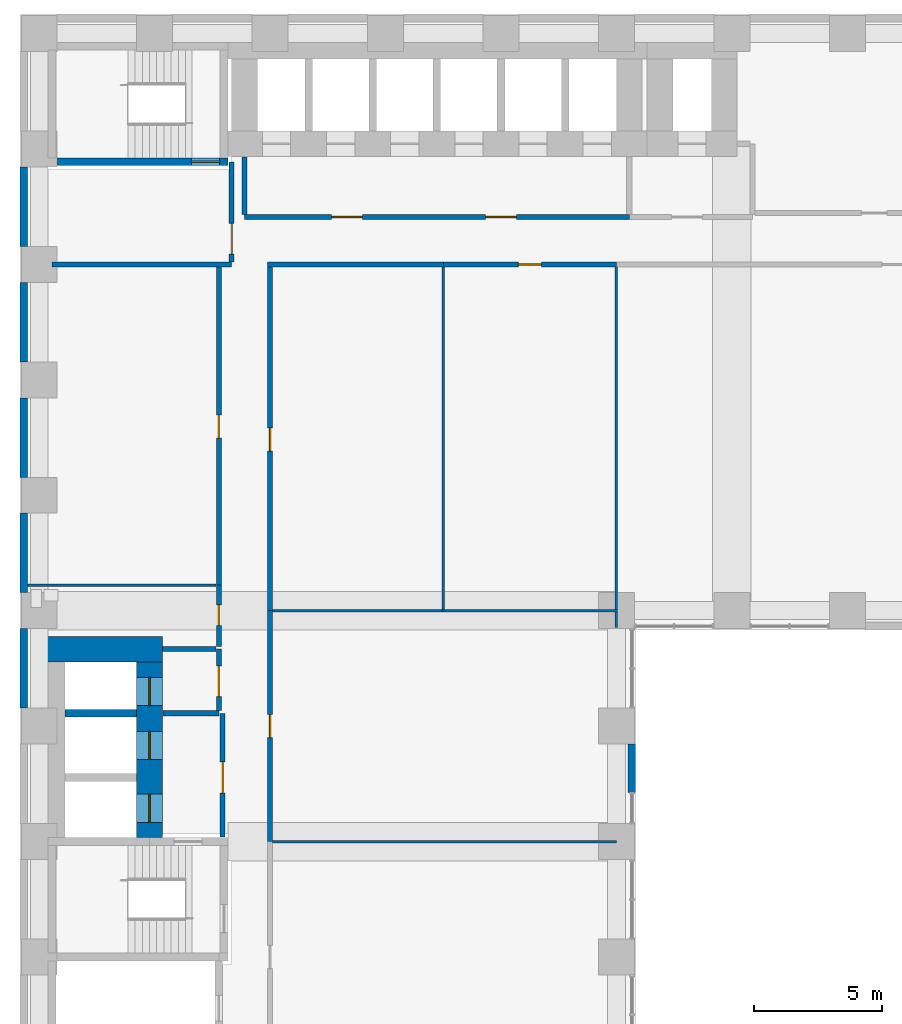
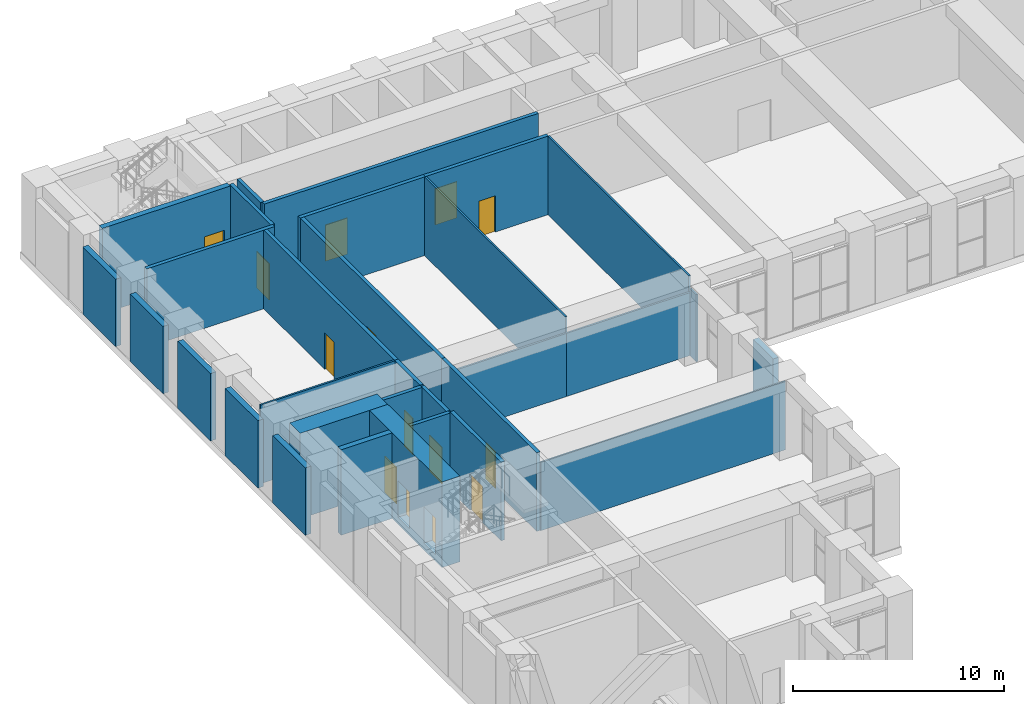
# One storey, part 19 of 34: 31 walls, 14 doors, 14 openings.
"""IFC4 building model written with IfcOpenShell, lengths in metres."""

import ifcopenshell
import ifcopenshell.guid

model = None  # the IFC model being written
_history = None  # IfcOwnerHistory: only IFC2X3 demands one
_inside = {}  # id of a spatial element -> (the spatial element, [elements in it])
_under = {}  # id of a project, library or spatial element -> (it, [spatial elements below it])
_declared = {}  # id of a project -> (the project, [libraries it declares])
_typed = {}  # id of a type object -> (the type object, [elements of that type])
_made_of = {}  # id of a material, layer set ... -> (it, [elements and type objects made of it])


def new_model(schema):
    """Start an empty IFC model of exactly this schema.

    Asked for "IFC4X3", IfcOpenShell would pick the latest addendum, in which some entities
    have other attributes; the version numbers below select the first issue.
    IFC2X3 requires an IfcOwnerHistory on every rooted entity: one is made here for all.
    """
    global model, _history
    if schema == "IFC4X3":
        model = ifcopenshell.file(schema_version=(4, 3, 0, 0))
    else:
        model = ifcopenshell.file(schema=schema)
    _inside.clear()
    _under.clear()
    _declared.clear()
    _typed.clear()
    _made_of.clear()
    _history = None
    if model.schema == "IFC2X3":
        org = make("IfcOrganization", Name="unknown")
        user = make(
            "IfcPersonAndOrganization",
            ThePerson=make("IfcPerson", FamilyName="unknown"),
            TheOrganization=org,
        )
        app = make(
            "IfcApplication",
            ApplicationDeveloper=org,
            Version="unknown",
            ApplicationFullName="unknown",
            ApplicationIdentifier="unknown",
        )
        _history = make(
            "IfcOwnerHistory",
            OwningUser=user,
            OwningApplication=app,
            ChangeAction="ADDED",
            CreationDate=0,
        )
    return model


def make(cls, **values):
    """One entity of the class cls with the attributes given. An attribute that is None is left unset."""
    return model.create_entity(
        cls, **{name: value for name, value in values.items() if value is not None}
    )


def rooted(cls, **values):
    """An entity with a GlobalId (a new one), such as an element, a storey or a relation."""
    return make(cls, GlobalId=ifcopenshell.guid.new(), OwnerHistory=_history, **values)


def si_unit(unit_type, name, prefix=None):
    """IfcSIUnit, for example si_unit("LENGTHUNIT", "METRE", prefix="MILLI")."""
    return make("IfcSIUnit", UnitType=unit_type, Prefix=prefix, Name=name)


def assignment(units):
    """IfcUnitAssignment: the units of a project."""
    return None if units is None else make("IfcUnitAssignment", Units=units)


def point(xyz):
    """IfcCartesianPoint."""
    return None if xyz is None else make("IfcCartesianPoint", Coordinates=xyz)


def direction(xyz):
    """IfcDirection."""
    return None if xyz is None else make("IfcDirection", DirectionRatios=xyz)


def frame(location, z_axis=None, x_axis=None):
    """IfcAxis2Placement3D, a coordinate frame: its origin and axes. An axis left out is left unset."""
    return make(
        "IfcAxis2Placement3D",
        Location=point(location),
        Axis=direction(z_axis),
        RefDirection=direction(x_axis),
    )


def frame_2d(location, x_axis=None):
    """IfcAxis2Placement2D, a coordinate frame in the plane: its origin and x axis."""
    return make(
        "IfcAxis2Placement2D", Location=point(location), RefDirection=direction(x_axis)
    )


def origin():
    """The frame at (0, 0, 0) with its axes left unset."""
    return frame((0.0, 0.0, 0.0))


def place(relative_to, where):
    """IfcLocalPlacement: puts the frame where relative to a parent placement (None: the world)."""
    return make(
        "IfcLocalPlacement", PlacementRelTo=relative_to, RelativePlacement=where
    )


def context(
    kind, dimensions, precision=None, world=None, true_north=None, identifier=None
):
    """IfcGeometricRepresentationContext, for example the 3D "Model" context."""
    return make(
        "IfcGeometricRepresentationContext",
        ContextIdentifier=identifier,
        ContextType=kind,
        CoordinateSpaceDimension=dimensions,
        Precision=precision,
        WorldCoordinateSystem=world,
        TrueNorth=true_north,
    )


def subcontext(parent, identifier, kind, view, scale=None):
    """IfcGeometricRepresentationSubContext, for example "Body" below "Model"."""
    return make(
        "IfcGeometricRepresentationSubContext",
        ContextIdentifier=identifier,
        ContextType=kind,
        ParentContext=parent,
        TargetScale=scale,
        TargetView=view,
    )


def project(units=None, contexts=None):
    """IfcProject with its units and contexts."""
    return rooted(
        "IfcProject",
        Name="project",
        RepresentationContexts=contexts,
        UnitsInContext=assignment(units),
    )


def spatial(cls, under=None, at=None, **own):
    """A site, building, storey or space (cls), placed at a placement, below another one or the project."""
    s = rooted(cls, ObjectPlacement=at, **own)
    if under is not None:
        _under.setdefault(under.id(), (under, []))[1].append(s)
    return s


def profile(cls, at=None, kind="AREA", **sizes):
    """A parametric profile (cls). Its sizes go by their IFC names, for example OverallWidth=200.0."""
    return make(cls, ProfileType=kind, Position=at, **sizes)


def rectangle(**sizes):
    """IfcRectangleProfileDef."""
    return profile("IfcRectangleProfileDef", **sizes)


def extrude(swept, where, along, depth):
    """IfcExtrudedAreaSolid: the profile swept, set in the frame where, extruded along a direction by depth."""
    return make(
        "IfcExtrudedAreaSolid",
        SweptArea=swept,
        Position=where,
        ExtrudedDirection=direction(along),
        Depth=depth,
    )


def shape(context_of_items, identifier, shape_type, items):
    """IfcShapeRepresentation: the items that make up one representation, for example the "Body"."""
    return make(
        "IfcShapeRepresentation",
        ContextOfItems=context_of_items,
        RepresentationIdentifier=identifier,
        RepresentationType=shape_type,
        Items=items,
    )


def material(Name=None, Category=None):
    """IfcMaterial."""
    return make("IfcMaterial", Name=Name, Category=Category)


def layer(
    of_material, thickness, ventilated=None, Name=None, Category=None, Priority=None
):
    """IfcMaterialLayer: one layer of a wall or slab, of a material (None: an air gap)."""
    return make(
        "IfcMaterialLayer",
        Material=of_material,
        LayerThickness=thickness,
        IsVentilated=ventilated,
        Name=Name,
        Category=Category,
        Priority=Priority,
    )


def layer_set(layers, Name=None):
    """IfcMaterialLayerSet."""
    return make("IfcMaterialLayerSet", MaterialLayers=layers, LayerSetName=Name)


def made_of(thing, what):
    """Note that an element or type object is made of a material, layer set ...; save() writes the relation."""
    if what is not None:
        _made_of.setdefault(what.id(), (what, []))[1].append(thing)
    return thing


def type_object(cls, material=None, **own):
    """A type object (cls), such as IfcWallType, which elements share."""
    return made_of(rooted(cls, **own), material)


def element(
    cls,
    number,
    at=None,
    inside=None,
    cuts=None,
    type_object=None,
    material=None,
    context=None,
    identifier="Body",
    shape_type=None,
    held_by="IfcProductDefinitionShape",
    body=None,
    shapes=None,
    **own,
):
    """One element of the class cls, such as IfcWall. Its Tag is "e" and its number.

    at: its placement. inside: the storey or other place that contains it. cuts: it is an
    opening in that element (IfcRelVoidsElement). A single representation is given by context,
    identifier, shape_type and body (its items); several are given by shapes. held_by: the class
    of the entity that holds the representations. save() writes the other relations.
    """
    e = rooted(cls, Tag="e%d" % number, ObjectPlacement=at, **own)
    if body is not None:
        shapes = [shape(context, identifier, shape_type, body)]
    if shapes is not None:
        e.Representation = make(held_by, Representations=shapes)
    if inside is not None:
        _inside.setdefault(inside.id(), (inside, []))[1].append(e)
    if cuts is not None:
        rooted(
            "IfcRelVoidsElement", RelatingBuildingElement=cuts, RelatedOpeningElement=e
        )
    if type_object is not None:
        _typed.setdefault(type_object.id(), (type_object, []))[1].append(e)
    return made_of(e, material)


def fill(opening, filler):
    """IfcRelFillsElement: the door or window that sits in an opening."""
    return rooted(
        "IfcRelFillsElement",
        RelatingOpeningElement=opening,
        RelatedBuildingElement=filler,
    )


def aggregate(whole, parts):
    """IfcRelAggregates: a whole, such as a stair, and the parts it consists of."""
    return rooted("IfcRelAggregates", RelatingObject=whole, RelatedObjects=parts)


def save(model, path):
    """Write the relations noted so far, then the file.

    IfcRelAggregates (storeys below a building ...), IfcRelContainedInSpatialStructure (elements
    in a storey), IfcRelDefinesByType, IfcRelAssociatesMaterial and IfcRelDeclares: one each for
    every whole, place, type object, material and project.
    """
    for whole, parts in _under.values():
        aggregate(whole, parts)
    for where, things in _inside.values():
        rooted(
            "IfcRelContainedInSpatialStructure",
            RelatedElements=things,
            RelatingStructure=where,
        )
    for kind, things in _typed.values():
        rooted("IfcRelDefinesByType", RelatedObjects=things, RelatingType=kind)
    for what, things in _made_of.values():
        rooted("IfcRelAssociatesMaterial", RelatedObjects=things, RelatingMaterial=what)
    for by, libraries in _declared.values():
        rooted("IfcRelDeclares", RelatingContext=by, RelatedDefinitions=libraries)
    model.write(path)


model = new_model("IFC4")

# Units and contexts
model_context = context("Model", 3, precision=1e-05, world=origin(), true_north=direction((0.0, 1.0)))
body_context = subcontext(model_context, "Body", "Model", "MODEL_VIEW")
ifc_project = project(units=[si_unit("LENGTHUNIT", "METRE"), si_unit("AREAUNIT", "SQUARE_METRE"), si_unit("VOLUMEUNIT", "CUBIC_METRE"), si_unit("PLANEANGLEUNIT", "RADIAN"), si_unit("MASSUNIT", "GRAM", prefix="KILO")], contexts=[model_context])

# Site, building, storey
site_placement = place(None, origin())
site = spatial("IfcSite", under=ifc_project, at=site_placement, CompositionType="ELEMENT")
building_placement = place(site_placement, origin())
building = spatial("IfcBuilding", under=site, at=building_placement, Name="Firuza Court", CompositionType="ELEMENT")
storey_placement = place(building_placement, frame((0.0, 0.0, 19.0)))
storey = spatial("IfcBuildingStorey", under=building, at=storey_placement, Name="L03", CompositionType="ELEMENT", Elevation=19.0)

# Wall
ifc_material_1 = material(Name="Concrete C60/75", Category="concrete")
ifc_layer_1 = layer(ifc_material_1, 1.0)
ifc_layer_set_1 = layer_set([ifc_layer_1], Name="Concrete C60/75")
wall_type_1 = type_object("IfcWallType", Name="Core wall 1000 C60/75", PredefinedType="SHEAR", material=ifc_layer_set_1)
wall_1_placement = place(storey_placement, frame((0.0, 34.5, -0.39990234375), z_axis=(0.0, 0.0, 1.0), x_axis=(1.0, 0.0, 0.0)))
element("IfcWall", 1, at=wall_1_placement, inside=storey, type_object=wall_type_1, Name="Core wall lift shaft L03", PredefinedType="SHEAR", context=body_context, shape_type="SweptSolid", body=[
    extrude(rectangle(XDim=4.800048828125, YDim=1.0, at=frame_2d((2.39990234375, 0.0))), origin(), (0.0, 0.0, 1.0), 4.949951171875),
])

# Wall, openings, doors
wall_2_placement = place(storey_placement, frame((4.300048828125, 27.14990234375, -0.39990234375), z_axis=(0.0, 0.0, 1.0), x_axis=(0.0, 1.0, 0.0)))
wall_2 = element("IfcWall", 2, at=wall_2_placement, inside=storey, type_object=wall_type_1, Name="Core wall lift shaft L03", PredefinedType="SHEAR", context=body_context, shape_type="SweptSolid", body=[
    extrude(rectangle(XDim=6.85009765625, YDim=1.0, at=frame_2d((3.425048828125, 0.0))), origin(), (0.0, 0.0, 1.0), 4.949951171875),
])
opening_1_placement = place(wall_2_placement, frame((3.050048828125, 0.0, 0.39990234375)))
opening_1 = element("IfcOpeningElement", 3, at=opening_1_placement, cuts=wall_2, Name="Opening LD-FL1-03", PredefinedType="OPENING", context=body_context, shape_type="SweptSolid", body=[
    extrude(rectangle(XDim=1.10009765625, YDim=2.10009765625, at=frame_2d((0.550048828125, 1.050048828125))), frame((0.0, 0.511962890625, 0.0), z_axis=(0.0, -1.0, 0.0), x_axis=(1.0, 0.0, 0.0)), (0.0, 0.0, 1.0), 1.02392578125),
])
opening_2_placement = place(wall_2_placement, frame((0.60009765625, 0.0, 0.39990234375)))
opening_2 = element("IfcOpeningElement", 4, at=opening_2_placement, cuts=wall_2, Name="Opening LD-FL2-03", PredefinedType="OPENING", context=body_context, shape_type="SweptSolid", body=[
    extrude(rectangle(XDim=1.10009765625, YDim=2.10009765625, at=frame_2d((0.550048828125, 1.050048828125))), frame((0.0, 0.511962890625, 0.0), z_axis=(0.0, -1.0, 0.0), x_axis=(1.0, 0.0, 0.0)), (0.0, 0.0, 1.0), 1.02392578125),
])
opening_3_placement = place(wall_2_placement, frame((5.14990234375, 0.0, 0.39990234375)))
opening_3 = element("IfcOpeningElement", 5, at=opening_3_placement, cuts=wall_2, Name="Opening LD-SL1-03", PredefinedType="OPENING", context=body_context, shape_type="SweptSolid", body=[
    extrude(rectangle(XDim=1.10009765625, YDim=2.10009765625, at=frame_2d((0.550048828125, 1.050048828125))), frame((0.0, 0.511962890625, 0.0), z_axis=(0.0, -1.0, 0.0), x_axis=(1.0, 0.0, 0.0)), (0.0, 0.0, 1.0), 1.02392578125),
])
ifc_material_2 = material(Name="Stainless steel 1.4301 door leaf", Category="steel")
door_type_1 = type_object("IfcDoorType", Name="Lift landing door 1100", OperationType="SLIDING_TO_LEFT", PredefinedType="DOOR", material=ifc_material_2)
door_1_placement = place(opening_1_placement, origin())
door_1 = element("IfcDoor", 6, at=door_1_placement, inside=storey, type_object=door_type_1, Name="Landing door FL1", OperationType="SLIDING_TO_LEFT", OverallHeight=2.10009765625, OverallWidth=1.10009765625, PredefinedType="DOOR", context=body_context, shape_type="SweptSolid", body=[
    extrude(rectangle(XDim=1.10009765625, YDim=2.10009765625, at=frame_2d((0.550048828125, 1.050048828125))), frame((0.0, 0.02490234375, 0.0), z_axis=(0.0, -1.0, 0.0), x_axis=(1.0, 0.0, 0.0)), (0.0, 0.0, 1.0), 0.050048828125),
])
fill(opening_1, door_1)
door_2_placement = place(opening_2_placement, origin())
door_2 = element("IfcDoor", 7, at=door_2_placement, inside=storey, type_object=door_type_1, Name="Landing door FL2", OperationType="SLIDING_TO_LEFT", OverallHeight=2.10009765625, OverallWidth=1.10009765625, PredefinedType="DOOR", context=body_context, shape_type="SweptSolid", body=[
    extrude(rectangle(XDim=1.10009765625, YDim=2.10009765625, at=frame_2d((0.550048828125, 1.050048828125))), frame((0.0, 0.02490234375, 0.0), z_axis=(0.0, -1.0, 0.0), x_axis=(1.0, 0.0, 0.0)), (0.0, 0.0, 1.0), 0.050048828125),
])
fill(opening_2, door_2)
door_3_placement = place(opening_3_placement, origin())
door_3 = element("IfcDoor", 8, at=door_3_placement, inside=storey, type_object=door_type_1, Name="Landing door SL1", OperationType="SLIDING_TO_LEFT", OverallHeight=2.10009765625, OverallWidth=1.10009765625, PredefinedType="DOOR", context=body_context, shape_type="SweptSolid", body=[
    extrude(rectangle(XDim=1.10009765625, YDim=2.10009765625, at=frame_2d((0.550048828125, 1.050048828125))), frame((0.0, 0.02490234375, 0.0), z_axis=(0.0, -1.0, 0.0), x_axis=(1.0, 0.0, 0.0)), (0.0, 0.0, 1.0), 0.050048828125),
])
fill(opening_3, door_3)

# Wall, opening, door
ifc_layer_2 = layer(ifc_material_1, 0.300048828125)
ifc_layer_set_2 = layer_set([ifc_layer_2], Name="Concrete C60/75")
wall_type_2 = type_object("IfcWallType", Name="Core wall 300 C60/75", PredefinedType="SHEAR", material=ifc_layer_set_2)
wall_3_placement = place(storey_placement, frame((0.35009765625, 53.5, -0.39990234375), z_axis=(0.0, 0.0, 1.0), x_axis=(1.0, 0.0, 0.0)))
wall_3 = element("IfcWall", 9, at=wall_3_placement, inside=storey, type_object=wall_type_2, Name="Core wall stair L03", PredefinedType="SHEAR", context=body_context, shape_type="SweptSolid", body=[
    extrude(rectangle(XDim=7.0, YDim=0.300048828125, at=frame_2d((3.5, 0.0))), origin(), (0.0, 0.0, 1.0), 4.949951171875),
])
opening_4_placement = place(wall_3_placement, frame((5.580078125, 0.0, 0.39990234375)))
opening_4 = element("IfcOpeningElement", 10, at=opening_4_placement, cuts=wall_3, Name="Opening D03016", PredefinedType="OPENING", context=body_context, shape_type="SweptSolid", body=[
    extrude(rectangle(XDim=1.10009765625, YDim=2.10009765625, at=frame_2d((0.550048828125, 1.050048828125))), frame((0.0, 0.162109375, 0.0), z_axis=(0.0, -1.0, 0.0), x_axis=(1.0, 0.0, 0.0)), (0.0, 0.0, 1.0), 0.323974609375),
])
ifc_material_3 = material(Name="Timber door leaf in hardwood frame", Category="wood")
door_type_2 = type_object("IfcDoorType", Name="Stair door 1100", OperationType="SINGLE_SWING_LEFT", PredefinedType="DOOR", material=ifc_material_3)
door_4_placement = place(opening_4_placement, origin())
door_4 = element("IfcDoor", 11, at=door_4_placement, inside=storey, type_object=door_type_2, Name="Stair door S3", OperationType="SINGLE_SWING_RIGHT", OverallHeight=2.10009765625, OverallWidth=1.10009765625, PredefinedType="DOOR", context=body_context, shape_type="SweptSolid", body=[
    extrude(rectangle(XDim=1.10009765625, YDim=2.10009765625, at=frame_2d((0.550048828125, 1.050048828125))), frame((0.0, 0.02490234375, 0.0), z_axis=(0.0, -1.0, 0.0), x_axis=(1.0, 0.0, 0.0)), (0.0, 0.0, 1.0), 0.050048828125),
])
fill(opening_4, door_4)

# Wall
wall_4_placement = place(storey_placement, frame((1.0, 32.0, -0.39990234375), z_axis=(0.0, 0.0, 1.0), x_axis=(1.0, 0.0, 0.0)))
element("IfcWall", 12, at=wall_4_placement, inside=storey, type_object=wall_type_2, Name="Core wall lift shaft L03", PredefinedType="SHEAR", context=body_context, shape_type="SweptSolid", body=[
    extrude(rectangle(XDim=2.800048828125, YDim=0.300048828125, at=frame_2d((1.39990234375, 0.0))), origin(), (0.0, 0.0, 1.0), 4.949951171875),
])

# Wall, opening, door
ifc_material_4 = material(Name="Blockwork, plastered both sides", Category="masonry")
ifc_layer_3 = layer(ifc_material_4, 0.199951171875)
ifc_layer_set_3 = layer_set([ifc_layer_3], Name="Blockwork, plastered both sides")
wall_type_3 = type_object("IfcWallType", Name="Corridor wall 200", PredefinedType="PARTITIONING", material=ifc_layer_set_3)
wall_5_placement = place(storey_placement, frame((9.0, 27.0, 0.0), z_axis=(0.0, 0.0, 1.0), x_axis=(0.0, 1.0, 0.0)))
wall_5 = element("IfcWall", 13, at=wall_5_placement, inside=storey, type_object=wall_type_3, Name="Corridor wall 200 L03", PredefinedType="PARTITIONING", context=body_context, shape_type="SweptSolid", body=[
    extrude(rectangle(XDim=9.0, YDim=0.199951171875, at=frame_2d((4.5, 0.0))), origin(), (0.0, 0.0, 1.0), 4.550048828125),
])
opening_5_placement = place(wall_5_placement, frame((4.050048828125, 0.0, 0.0)))
opening_5 = element("IfcOpeningElement", 14, at=opening_5_placement, cuts=wall_5, Name="Opening D03025", PredefinedType="OPENING", context=body_context, shape_type="SweptSolid", body=[
    extrude(rectangle(XDim=0.89990234375, YDim=2.10009765625, at=frame_2d((0.449951171875, 1.050048828125))), frame((0.0, 0.11181640625, 0.0), z_axis=(0.0, -1.0, 0.0), x_axis=(1.0, 0.0, 0.0)), (0.0, 0.0, 1.0), 0.223876953125),
])
ifc_material_5 = material(Name="Timber door leaf in hardwood frame", Category="wood")
door_type_3 = type_object("IfcDoorType", Name="Room door 900 EI 30", OperationType="SINGLE_SWING_LEFT", PredefinedType="DOOR", material=ifc_material_5)
door_5_placement = place(opening_5_placement, frame((0.89990234375, 0.0, 0.0), z_axis=(0.0, 0.0, 1.0), x_axis=(-1.0, 0.0, 0.0)))
door_5 = element("IfcDoor", 15, at=door_5_placement, inside=storey, type_object=door_type_3, Name="Room door", OperationType="SINGLE_SWING_RIGHT", OverallHeight=2.10009765625, OverallWidth=0.89990234375, PredefinedType="DOOR", context=body_context, shape_type="SweptSolid", body=[
    extrude(rectangle(XDim=0.89990234375, YDim=2.10009765625, at=frame_2d((0.449951171875, 1.050048828125))), frame((0.0, 0.02490234375, 0.0), z_axis=(0.0, -1.0, 0.0), x_axis=(1.0, 0.0, 0.0)), (0.0, 0.0, 1.0), 0.050048828125),
])
fill(opening_5, door_5)

wall_6_placement = place(storey_placement, frame((9.0, 36.0, 0.0), z_axis=(0.0, 0.0, 1.0), x_axis=(0.0, 1.0, 0.0)))
wall_6 = element("IfcWall", 16, at=wall_6_placement, inside=storey, type_object=wall_type_3, Name="Corridor wall 200 L03", PredefinedType="PARTITIONING", context=body_context, shape_type="SweptSolid", body=[
    extrude(rectangle(XDim=13.39990234375, YDim=0.199951171875, at=frame_2d((6.699951171875, 0.0))), origin(), (0.0, 0.0, 1.0), 4.550048828125),
])
opening_6_placement = place(wall_6_placement, frame((6.22509765625, 0.0, 0.0)))
opening_6 = element("IfcOpeningElement", 17, at=opening_6_placement, cuts=wall_6, Name="Opening D03026", PredefinedType="OPENING", context=body_context, shape_type="SweptSolid", body=[
    extrude(rectangle(XDim=0.89990234375, YDim=2.10009765625, at=frame_2d((0.449951171875, 1.050048828125))), frame((0.0, 0.11181640625, 0.0), z_axis=(0.0, -1.0, 0.0), x_axis=(1.0, 0.0, 0.0)), (0.0, 0.0, 1.0), 0.223876953125),
])
door_6_placement = place(opening_6_placement, frame((0.89990234375, 0.0, 0.0), z_axis=(0.0, 0.0, 1.0), x_axis=(-1.0, 0.0, 0.0)))
door_6 = element("IfcDoor", 18, at=door_6_placement, inside=storey, type_object=door_type_3, Name="Room door", OperationType="SINGLE_SWING_RIGHT", OverallHeight=2.10009765625, OverallWidth=0.89990234375, PredefinedType="DOOR", context=body_context, shape_type="SweptSolid", body=[
    extrude(rectangle(XDim=0.89990234375, YDim=2.10009765625, at=frame_2d((0.449951171875, 1.050048828125))), frame((0.0, 0.02490234375, 0.0), z_axis=(0.0, -1.0, 0.0), x_axis=(1.0, 0.0, 0.0)), (0.0, 0.0, 1.0), 0.050048828125),
])
fill(opening_6, door_6)

wall_7_placement = place(storey_placement, frame((7.0, 37.0, 0.0), z_axis=(0.0, 0.0, 1.0), x_axis=(0.0, -1.0, 0.0)))
wall_7 = element("IfcWall", 19, at=wall_7_placement, inside=storey, type_object=wall_type_3, Name="Corridor wall 200 L03", PredefinedType="PARTITIONING", context=body_context, shape_type="SweptSolid", body=[
    extrude(rectangle(XDim=2.39990234375, YDim=0.199951171875, at=frame_2d((1.199951171875, 0.0))), origin(), (0.0, 0.0, 1.0), 4.550048828125),
])
opening_7_placement = place(wall_7_placement, frame((0.77490234375, 0.0, 0.0)))
opening_7 = element("IfcOpeningElement", 20, at=opening_7_placement, cuts=wall_7, Name="Opening D03027", PredefinedType="OPENING", context=body_context, shape_type="SweptSolid", body=[
    extrude(rectangle(XDim=0.800048828125, YDim=2.10009765625, at=frame_2d((0.39990234375, 1.050048828125))), frame((0.0, 0.11181640625, 0.0), z_axis=(0.0, -1.0, 0.0), x_axis=(1.0, 0.0, 0.0)), (0.0, 0.0, 1.0), 0.223876953125),
])
ifc_material_6 = material(Name="Timber door leaf in hardwood frame", Category="wood")
door_type_4 = type_object("IfcDoorType", Name="Room door 800 EI 30", OperationType="SINGLE_SWING_LEFT", PredefinedType="DOOR", material=ifc_material_6)
door_7_placement = place(opening_7_placement, frame((0.800048828125, 0.0, 0.0), z_axis=(0.0, 0.0, 1.0), x_axis=(-1.0, 0.0, 0.0)))
door_7 = element("IfcDoor", 21, at=door_7_placement, inside=storey, type_object=door_type_4, Name="Room door", OperationType="SINGLE_SWING_RIGHT", OverallHeight=2.10009765625, OverallWidth=0.800048828125, PredefinedType="DOOR", context=body_context, shape_type="SweptSolid", body=[
    extrude(rectangle(XDim=0.800048828125, YDim=2.10009765625, at=frame_2d((0.39990234375, 1.050048828125))), frame((0.0, 0.02490234375, 0.0), z_axis=(0.0, -1.0, 0.0), x_axis=(1.0, 0.0, 0.0)), (0.0, 0.0, 1.0), 0.050048828125),
])
fill(opening_7, door_7)

wall_8_placement = place(storey_placement, frame((7.0, 49.39990234375, 0.0), z_axis=(0.0, 0.0, 1.0), x_axis=(0.0, -1.0, 0.0)))
wall_8 = element("IfcWall", 22, at=wall_8_placement, inside=storey, type_object=wall_type_3, Name="Corridor wall 200 L03", PredefinedType="PARTITIONING", context=body_context, shape_type="SweptSolid", body=[
    extrude(rectangle(XDim=12.39990234375, YDim=0.199951171875, at=frame_2d((6.199951171875, 0.0))), origin(), (0.0, 0.0, 1.0), 4.550048828125),
])
opening_8_placement = place(wall_8_placement, frame((5.77490234375, 0.0, 0.0)))
opening_8 = element("IfcOpeningElement", 23, at=opening_8_placement, cuts=wall_8, Name="Opening D03028", PredefinedType="OPENING", context=body_context, shape_type="SweptSolid", body=[
    extrude(rectangle(XDim=0.89990234375, YDim=2.10009765625, at=frame_2d((0.449951171875, 1.050048828125))), frame((0.0, 0.11181640625, 0.0), z_axis=(0.0, -1.0, 0.0), x_axis=(1.0, 0.0, 0.0)), (0.0, 0.0, 1.0), 0.223876953125),
])
door_8_placement = place(opening_8_placement, frame((0.89990234375, 0.0, 0.0), z_axis=(0.0, 0.0, 1.0), x_axis=(-1.0, 0.0, 0.0)))
door_8 = element("IfcDoor", 24, at=door_8_placement, inside=storey, type_object=door_type_3, Name="Room door", OperationType="SINGLE_SWING_LEFT", OverallHeight=2.10009765625, OverallWidth=0.89990234375, PredefinedType="DOOR", context=body_context, shape_type="SweptSolid", body=[
    extrude(rectangle(XDim=0.89990234375, YDim=2.10009765625, at=frame_2d((0.449951171875, 1.050048828125))), frame((0.0, 0.02490234375, 0.0), z_axis=(0.0, -1.0, 0.0), x_axis=(1.0, 0.0, 0.0)), (0.0, 0.0, 1.0), 0.050048828125),
])
fill(opening_8, door_8)

# Wall
wall_9_placement = place(storey_placement, frame((8.89990234375, 49.5, 0.0), z_axis=(0.0, 0.0, 1.0), x_axis=(1.0, 0.0, 0.0)))
element("IfcWall", 25, at=wall_9_placement, inside=storey, type_object=wall_type_3, Name="Corridor wall 200 L03", PredefinedType="PARTITIONING", context=body_context, shape_type="SweptSolid", body=[
    extrude(rectangle(XDim=6.85009765625, YDim=0.199951171875, at=frame_2d((3.425048828125, 0.0))), origin(), (0.0, 0.0, 1.0), 4.550048828125),
])

# Wall, opening, door
wall_10_placement = place(storey_placement, frame((15.75, 49.5, 0.0), z_axis=(0.0, 0.0, 1.0), x_axis=(1.0, 0.0, 0.0)))
wall_10 = element("IfcWall", 26, at=wall_10_placement, inside=storey, type_object=wall_type_3, Name="Corridor wall 200 L03", PredefinedType="PARTITIONING", context=body_context, shape_type="SweptSolid", body=[
    extrude(rectangle(XDim=6.75, YDim=0.199951171875, at=frame_2d((3.375, 0.0))), origin(), (0.0, 0.0, 1.0), 4.550048828125),
])
opening_9_placement = place(wall_10_placement, frame((2.925048828125, 0.0, 0.0)))
opening_9 = element("IfcOpeningElement", 27, at=opening_9_placement, cuts=wall_10, Name="Opening D03029", PredefinedType="OPENING", context=body_context, shape_type="SweptSolid", body=[
    extrude(rectangle(XDim=0.89990234375, YDim=2.10009765625, at=frame_2d((0.449951171875, 1.050048828125))), frame((0.0, 0.11181640625, 0.0), z_axis=(0.0, -1.0, 0.0), x_axis=(1.0, 0.0, 0.0)), (0.0, 0.0, 1.0), 0.223876953125),
])
door_9_placement = place(opening_9_placement, frame((0.89990234375, 0.0, 0.0), z_axis=(0.0, 0.0, 1.0), x_axis=(-1.0, 0.0, 0.0)))
door_9 = element("IfcDoor", 28, at=door_9_placement, inside=storey, type_object=door_type_3, Name="Room door", OperationType="SINGLE_SWING_RIGHT", OverallHeight=2.10009765625, OverallWidth=0.89990234375, PredefinedType="DOOR", context=body_context, shape_type="SweptSolid", body=[
    extrude(rectangle(XDim=0.89990234375, YDim=2.10009765625, at=frame_2d((0.449951171875, 1.050048828125))), frame((0.0, 0.02490234375, 0.0), z_axis=(0.0, -1.0, 0.0), x_axis=(1.0, 0.0, 0.0)), (0.0, 0.0, 1.0), 0.050048828125),
])
fill(opening_9, door_9)

# Walls
ifc_material_7 = material(Name="Timber stud partition, plasterboard both sides", Category="wood")
ifc_layer_4 = layer(ifc_material_7, 0.10009765625)
ifc_layer_set_4 = layer_set([ifc_layer_4], Name="Timber stud partition, plasterboard both sides")
wall_type_4 = type_object("IfcWallType", Name="Partition wall 100", PredefinedType="PARTITIONING", material=ifc_layer_set_4)
wall_11_placement = place(storey_placement, frame((22.5, 27.0, 0.0), z_axis=(0.0, 0.0, 1.0), x_axis=(-1.0, 0.0, 0.0)))
element("IfcWall", 29, at=wall_11_placement, inside=storey, type_object=wall_type_4, Name="Partition wall 100 L03", PredefinedType="PARTITIONING", context=body_context, shape_type="SweptSolid", body=[
    extrude(rectangle(XDim=13.39990234375, YDim=0.10009765625, at=frame_2d((6.699951171875, 0.0))), origin(), (0.0, 0.0, 1.0), 3.949951171875),
])
wall_12_placement = place(storey_placement, frame((22.5, 35.35009765625, 0.0), z_axis=(0.0, 0.0, 1.0), x_axis=(0.0, 1.0, 0.0)))
element("IfcWall", 30, at=wall_12_placement, inside=storey, type_object=wall_type_4, Name="Partition wall 100 L03", PredefinedType="PARTITIONING", context=body_context, shape_type="SweptSolid", body=[
    extrude(rectangle(XDim=0.599853515625, YDim=0.10009765625, at=frame_2d((0.2998046875, 0.0))), origin(), (0.0, 0.0, 1.0), 3.89990234375),
])
wall_13_placement = place(storey_placement, frame((15.699951171875, 36.0, 0.0), z_axis=(0.0, 0.0, 1.0), x_axis=(-1.0, 0.0, 0.0)))
element("IfcWall", 31, at=wall_13_placement, inside=storey, type_object=wall_type_4, Name="Partition wall 100 L03", PredefinedType="PARTITIONING", context=body_context, shape_type="SweptSolid", body=[
    extrude(rectangle(XDim=6.599853515625, YDim=0.10009765625, at=frame_2d((3.2998046875, 0.0))), origin(), (0.0, 0.0, 1.0), 3.64990234375),
])
wall_14_placement = place(storey_placement, frame((22.550048828125, 36.0, 0.0), z_axis=(0.0, 0.0, 1.0), x_axis=(-1.0, 0.0, 0.0)))
element("IfcWall", 32, at=wall_14_placement, inside=storey, type_object=wall_type_4, Name="Partition wall 100 L03", PredefinedType="PARTITIONING", context=body_context, shape_type="SweptSolid", body=[
    extrude(rectangle(XDim=6.85009765625, YDim=0.10009765625, at=frame_2d((3.425048828125, 0.0))), origin(), (0.0, 0.0, 1.0), 3.64990234375),
])
wall_15_placement = place(storey_placement, frame((22.5, 36.050048828125, 0.0), z_axis=(0.0, 0.0, 1.0), x_axis=(0.0, 1.0, 0.0)))
element("IfcWall", 33, at=wall_15_placement, inside=storey, type_object=wall_type_4, Name="Partition wall 100 L03", PredefinedType="PARTITIONING", context=body_context, shape_type="SweptSolid", body=[
    extrude(rectangle(XDim=13.349853515625, YDim=0.10009765625, at=frame_2d((6.6748046875, 0.0))), origin(), (0.0, 0.0, 1.0), 4.550048828125),
])
wall_16_placement = place(storey_placement, frame((-0.449951171875, 37.0, 0.0), z_axis=(0.0, 0.0, 1.0), x_axis=(1.0, 0.0, 0.0)))
element("IfcWall", 34, at=wall_16_placement, inside=storey, type_object=wall_type_4, Name="Partition wall 100 L03", PredefinedType="PARTITIONING", context=body_context, shape_type="SweptSolid", body=[
    extrude(rectangle(XDim=7.349853515625, YDim=0.10009765625, at=frame_2d((3.6748046875, 0.0))), origin(), (0.0, 0.0, 1.0), 4.550048828125),
])
wall_17_placement = place(storey_placement, frame((15.75, 49.39990234375, 0.0), z_axis=(0.0, 0.0, 1.0), x_axis=(0.0, -1.0, 0.0)))
element("IfcWall", 35, at=wall_17_placement, inside=storey, type_object=wall_type_4, Name="Partition wall 100 L03", PredefinedType="PARTITIONING", context=body_context, shape_type="SweptSolid", body=[
    extrude(rectangle(XDim=13.349853515625, YDim=0.10009765625, at=frame_2d((6.6748046875, 0.0))), origin(), (0.0, 0.0, 1.0), 4.550048828125),
])
ifc_material_8 = material(Name="Ceramic tile", Category="ceramic")
ifc_layer_5 = layer(ifc_material_8, 0.02001953125)
ifc_material_9 = material(Name="Mineral wool insulation", Category="insulation")
ifc_layer_6 = layer(ifc_material_9, 0.1298828125)
ifc_material_10 = material(Name="Concrete C40/50 precast", Category="concrete")
ifc_layer_7 = layer(ifc_material_10, 0.14990234375)
ifc_layer_set_5 = layer_set([ifc_layer_5, ifc_layer_6, ifc_layer_7], Name="Concrete C40/50 precast")
wall_type_5 = type_object("IfcWallType", Name="Precast spandrel wall with turquoise TILE PANEL face 300", PredefinedType="STANDARD", material=ifc_layer_set_5)
wall_18_placement = place(storey_placement, frame((23.10009765625, 28.918212890625, 0.0), z_axis=(0.0, 0.0, 1.0), x_axis=(0.0, 1.0, 0.0)))
element("IfcWall", 36, at=wall_18_placement, inside=storey, type_object=wall_type_5, Name="Facade wall L03 E", PredefinedType="STANDARD", context=body_context, shape_type="SweptSolid", body=[
    extrude(rectangle(XDim=1.8818359375, YDim=0.300048828125, at=frame_2d((0.94091796875, 0.0))), origin(), (0.0, 0.0, 1.0), 3.89990234375),
])
for number, where, z_axis, x_axis, name in (
    (37, (-0.60009765625, 53.300048828125, 0.0), (0.0, 0.0, 1.0), (0.0, -1.0, 0.0), "Facade wall L03 W"),
    (38, (-0.60009765625, 48.800048828125, 0.0), (0.0, 0.0, 1.0), (0.0, -1.0, 0.0), "Facade wall L03 W"),
    (39, (-0.60009765625, 44.300048828125, 0.0), (0.0, 0.0, 1.0), (0.0, -1.0, 0.0), "Facade wall L03 W"),
    (40, (-0.60009765625, 39.800048828125, 0.0), (0.0, 0.0, 1.0), (0.0, -1.0, 0.0), "Facade wall L03 W"),
    (41, (-0.60009765625, 35.300048828125, 0.0), (0.0, 0.0, 1.0), (0.0, -1.0, 0.0), "Facade wall L03 W"),
):
    element("IfcWall", number, at=place(storey_placement, frame(where, z_axis=z_axis, x_axis=x_axis)), inside=storey, type_object=wall_type_5, Name=name, PredefinedType="STANDARD", context=body_context, shape_type="SweptSolid", body=[
        extrude(rectangle(XDim=3.10009765625, YDim=0.300048828125, at=frame_2d((1.550048828125, 0.0))), origin(), (0.0, 0.0, 1.0), 3.89990234375),
    ])

# Wall, openings, doors
ifc_material_11 = material(Name="Blockwork, fire-rated", Category="masonry")
ifc_layer_8 = layer(ifc_material_11, 0.199951171875)
ifc_layer_set_6 = layer_set([ifc_layer_8], Name="Blockwork, fire-rated")
wall_type_6 = type_object("IfcWallType", Name="Shaft wall 200", PredefinedType="PARTITIONING", material=ifc_layer_set_6)
wall_19_placement = place(storey_placement, frame((8.0, 51.35009765625, 0.0), z_axis=(0.0, 0.0, 1.0), x_axis=(1.0, 0.0, 0.0)))
wall_19 = element("IfcWall", 42, at=wall_19_placement, inside=storey, type_object=wall_type_6, Name="Shaft wall 200 L03", PredefinedType="PARTITIONING", context=body_context, shape_type="SweptSolid", body=[
    extrude(rectangle(XDim=15.0, YDim=0.199951171875, at=frame_2d((7.5, 0.0))), origin(), (0.0, 0.0, 1.0), 4.550048828125),
])
opening_10_placement = place(wall_19_placement, frame((3.39990234375, 0.0, 0.0)))
opening_10 = element("IfcOpeningElement", 43, at=opening_10_placement, cuts=wall_19, Name="Opening D03004", PredefinedType="OPENING", context=body_context, shape_type="SweptSolid", body=[
    extrude(rectangle(XDim=1.199951171875, YDim=2.10009765625, at=frame_2d((0.60009765625, 1.050048828125))), frame((0.0, 0.11181640625, 0.0), z_axis=(0.0, -1.0, 0.0), x_axis=(1.0, 0.0, 0.0)), (0.0, 0.0, 1.0), 0.223876953125),
])
opening_11_placement = place(wall_19_placement, frame((9.39990234375, 0.0, 0.0)))
opening_11 = element("IfcOpeningElement", 44, at=opening_11_placement, cuts=wall_19, Name="Opening D03005", PredefinedType="OPENING", context=body_context, shape_type="SweptSolid", body=[
    extrude(rectangle(XDim=1.199951171875, YDim=2.10009765625, at=frame_2d((0.60009765625, 1.050048828125))), frame((0.0, 0.11181640625, 0.0), z_axis=(0.0, -1.0, 0.0), x_axis=(1.0, 0.0, 0.0)), (0.0, 0.0, 1.0), 0.223876953125),
])
ifc_material_12 = material(Name="Timber door leaf in hardwood frame", Category="wood")
door_type_5 = type_object("IfcDoorType", Name="Lobby door 1200", OperationType="SINGLE_SWING_LEFT", PredefinedType="DOOR", material=ifc_material_12)
door_10_placement = place(opening_10_placement, origin())
door_10 = element("IfcDoor", 45, at=door_10_placement, inside=storey, type_object=door_type_5, Name="Lobby door", OperationType="SINGLE_SWING_LEFT", OverallHeight=2.10009765625, OverallWidth=1.199951171875, PredefinedType="DOOR", context=body_context, shape_type="SweptSolid", body=[
    extrude(rectangle(XDim=1.199951171875, YDim=2.10009765625, at=frame_2d((0.60009765625, 1.050048828125))), frame((0.0, 0.02490234375, 0.0), z_axis=(0.0, -1.0, 0.0), x_axis=(1.0, 0.0, 0.0)), (0.0, 0.0, 1.0), 0.050048828125),
])
fill(opening_10, door_10)
door_11_placement = place(opening_11_placement, origin())
door_11 = element("IfcDoor", 46, at=door_11_placement, inside=storey, type_object=door_type_5, Name="Lobby door", OperationType="SINGLE_SWING_RIGHT", OverallHeight=2.10009765625, OverallWidth=1.199951171875, PredefinedType="DOOR", context=body_context, shape_type="SweptSolid", body=[
    extrude(rectangle(XDim=1.199951171875, YDim=2.10009765625, at=frame_2d((0.60009765625, 1.050048828125))), frame((0.0, 0.02490234375, 0.0), z_axis=(0.0, -1.0, 0.0), x_axis=(1.0, 0.0, 0.0)), (0.0, 0.0, 1.0), 0.050048828125),
])
fill(opening_11, door_11)

# Walls
wall_20_placement = place(storey_placement, frame((8.0, 51.449951171875, 0.0), z_axis=(0.0, 0.0, 1.0), x_axis=(0.0, 1.0, 0.0)))
element("IfcWall", 47, at=wall_20_placement, inside=storey, type_object=wall_type_6, Name="Shaft wall 200 L03", PredefinedType="PARTITIONING", context=body_context, shape_type="SweptSolid", body=[
    extrude(rectangle(XDim=2.22998046875, YDim=0.199951171875, at=frame_2d((1.114990234375, 0.0))), origin(), (0.0, 0.0, 1.0), 4.550048828125),
])
wall_21_placement = place(storey_placement, frame((4.820068359375, 32.0, 0.0), z_axis=(0.0, 0.0, 1.0), x_axis=(1.0, 0.0, 0.0)))
element("IfcWall", 48, at=wall_21_placement, inside=storey, type_object=wall_type_6, Name="Shaft wall 200 L03", PredefinedType="PARTITIONING", context=body_context, shape_type="SweptSolid", body=[
    extrude(rectangle(XDim=2.179931640625, YDim=0.199951171875, at=frame_2d((1.08984375, 0.0))), origin(), (0.0, 0.0, 1.0), 4.550048828125),
])

# Wall, opening, door
wall_22_placement = place(storey_placement, frame((7.0, 32.10009765625, 0.0), z_axis=(0.0, 0.0, 1.0), x_axis=(0.0, 1.0, 0.0)))
wall_22 = element("IfcWall", 49, at=wall_22_placement, inside=storey, type_object=wall_type_6, Name="Shaft wall 200 L03", PredefinedType="PARTITIONING", context=body_context, shape_type="SweptSolid", body=[
    extrude(rectangle(XDim=2.39990234375, YDim=0.199951171875, at=frame_2d((1.199951171875, 0.0))), origin(), (0.0, 0.0, 1.0), 4.550048828125),
])
opening_12_placement = place(wall_22_placement, frame((0.550048828125, 0.0, 0.0)))
opening_12 = element("IfcOpeningElement", 50, at=opening_12_placement, cuts=wall_22, Name="Opening D03008", PredefinedType="OPENING", context=body_context, shape_type="SweptSolid", body=[
    extrude(rectangle(XDim=1.199951171875, YDim=2.10009765625, at=frame_2d((0.60009765625, 1.050048828125))), frame((0.0, 0.11181640625, 0.0), z_axis=(0.0, -1.0, 0.0), x_axis=(1.0, 0.0, 0.0)), (0.0, 0.0, 1.0), 0.223876953125),
])
door_12_placement = place(opening_12_placement, origin())
door_12 = element("IfcDoor", 51, at=door_12_placement, inside=storey, type_object=door_type_5, Name="Lobby door", OperationType="SINGLE_SWING_LEFT", OverallHeight=2.10009765625, OverallWidth=1.199951171875, PredefinedType="DOOR", context=body_context, shape_type="SweptSolid", body=[
    extrude(rectangle(XDim=1.199951171875, YDim=2.10009765625, at=frame_2d((0.60009765625, 1.050048828125))), frame((0.0, 0.02490234375, 0.0), z_axis=(0.0, -1.0, 0.0), x_axis=(1.0, 0.0, 0.0)), (0.0, 0.0, 1.0), 0.050048828125),
])
fill(opening_12, door_12)

# Wall
wall_23_placement = place(storey_placement, frame((4.800048828125, 34.5, 0.0), z_axis=(0.0, 0.0, 1.0), x_axis=(1.0, 0.0, 0.0)))
element("IfcWall", 52, at=wall_23_placement, inside=storey, type_object=wall_type_6, Name="Shaft wall 200 L03", PredefinedType="PARTITIONING", context=body_context, shape_type="SweptSolid", body=[
    extrude(rectangle(XDim=2.099853515625, YDim=0.199951171875, at=frame_2d((1.0498046875, 0.0))), origin(), (0.0, 0.0, 1.0), 4.550048828125),
])

# Wall, opening, door
wall_24_placement = place(storey_placement, frame((7.14990234375, 27.169921875, 0.0), z_axis=(0.0, 0.0, 1.0), x_axis=(0.0, 1.0, 0.0)))
wall_24 = element("IfcWall", 53, at=wall_24_placement, inside=storey, type_object=wall_type_6, Name="Shaft wall 200 L03", PredefinedType="PARTITIONING", context=body_context, shape_type="SweptSolid", body=[
    extrude(rectangle(XDim=4.830078125, YDim=0.199951171875, at=frame_2d((2.4150390625, 0.0))), origin(), (0.0, 0.0, 1.0), 4.550048828125),
])
opening_13_placement = place(wall_24_placement, frame((1.72998046875, 0.0, 0.0)))
opening_13 = element("IfcOpeningElement", 54, at=opening_13_placement, cuts=wall_24, Name="Opening D03002", PredefinedType="OPENING", context=body_context, shape_type="SweptSolid", body=[
    extrude(rectangle(XDim=1.199951171875, YDim=2.10009765625, at=frame_2d((0.60009765625, 1.050048828125))), frame((0.0, 0.11181640625, 0.0), z_axis=(0.0, -1.0, 0.0), x_axis=(1.0, 0.0, 0.0)), (0.0, 0.0, 1.0), 0.223876953125),
])
door_13_placement = place(opening_13_placement, origin())
door_13 = element("IfcDoor", 55, at=door_13_placement, inside=storey, type_object=door_type_5, Name="Fire-fighting lobby door", OperationType="SINGLE_SWING_LEFT", OverallHeight=2.10009765625, OverallWidth=1.199951171875, PredefinedType="DOOR", context=body_context, shape_type="SweptSolid", body=[
    extrude(rectangle(XDim=1.199951171875, YDim=2.10009765625, at=frame_2d((0.60009765625, 1.050048828125))), frame((0.0, 0.02490234375, 0.0), z_axis=(0.0, -1.0, 0.0), x_axis=(1.0, 0.0, 0.0)), (0.0, 0.0, 1.0), 0.050048828125),
])
fill(opening_13, door_13)

# Wall
wall_25_placement = place(storey_placement, frame((0.5, 49.5, 0.0), z_axis=(0.0, 0.0, 1.0), x_axis=(1.0, 0.0, 0.0)))
element("IfcWall", 56, at=wall_25_placement, inside=storey, type_object=wall_type_6, Name="Shaft wall 200 L03", PredefinedType="PARTITIONING", context=body_context, shape_type="SweptSolid", body=[
    extrude(rectangle(XDim=7.0, YDim=0.199951171875, at=frame_2d((3.5, 0.0))), origin(), (0.0, 0.0, 1.0), 4.550048828125),
])

# Wall, opening, door
wall_26_placement = place(storey_placement, frame((7.5, 49.60009765625, 0.0), z_axis=(0.0, 0.0, 1.0), x_axis=(0.0, 1.0, 0.0)))
wall_26 = element("IfcWall", 57, at=wall_26_placement, inside=storey, type_object=wall_type_6, Name="Shaft wall 200 L03", PredefinedType="PARTITIONING", context=body_context, shape_type="SweptSolid", body=[
    extrude(rectangle(XDim=3.89990234375, YDim=0.199951171875, at=frame_2d((1.949951171875, 0.0))), origin(), (0.0, 0.0, 1.0), 4.550048828125),
])
opening_14_placement = place(wall_26_placement, frame((0.300048828125, 0.0, 0.0)))
opening_14 = element("IfcOpeningElement", 58, at=opening_14_placement, cuts=wall_26, Name="Opening D03001", PredefinedType="OPENING", context=body_context, shape_type="SweptSolid", body=[
    extrude(rectangle(XDim=1.199951171875, YDim=2.10009765625, at=frame_2d((0.60009765625, 1.050048828125))), frame((0.0, 0.11181640625, 0.0), z_axis=(0.0, -1.0, 0.0), x_axis=(1.0, 0.0, 0.0)), (0.0, 0.0, 1.0), 0.223876953125),
])
door_14_placement = place(opening_14_placement, origin())
door_14 = element("IfcDoor", 59, at=door_14_placement, inside=storey, type_object=door_type_5, Name="Lobby door", OperationType="SINGLE_SWING_LEFT", OverallHeight=2.10009765625, OverallWidth=1.199951171875, PredefinedType="DOOR", context=body_context, shape_type="SweptSolid", body=[
    extrude(rectangle(XDim=1.199951171875, YDim=2.10009765625, at=frame_2d((0.60009765625, 1.050048828125))), frame((0.0, 0.02490234375, 0.0), z_axis=(0.0, -1.0, 0.0), x_axis=(1.0, 0.0, 0.0)), (0.0, 0.0, 1.0), 0.050048828125),
])
fill(opening_14, door_14)

save(model, "model.ifc")
